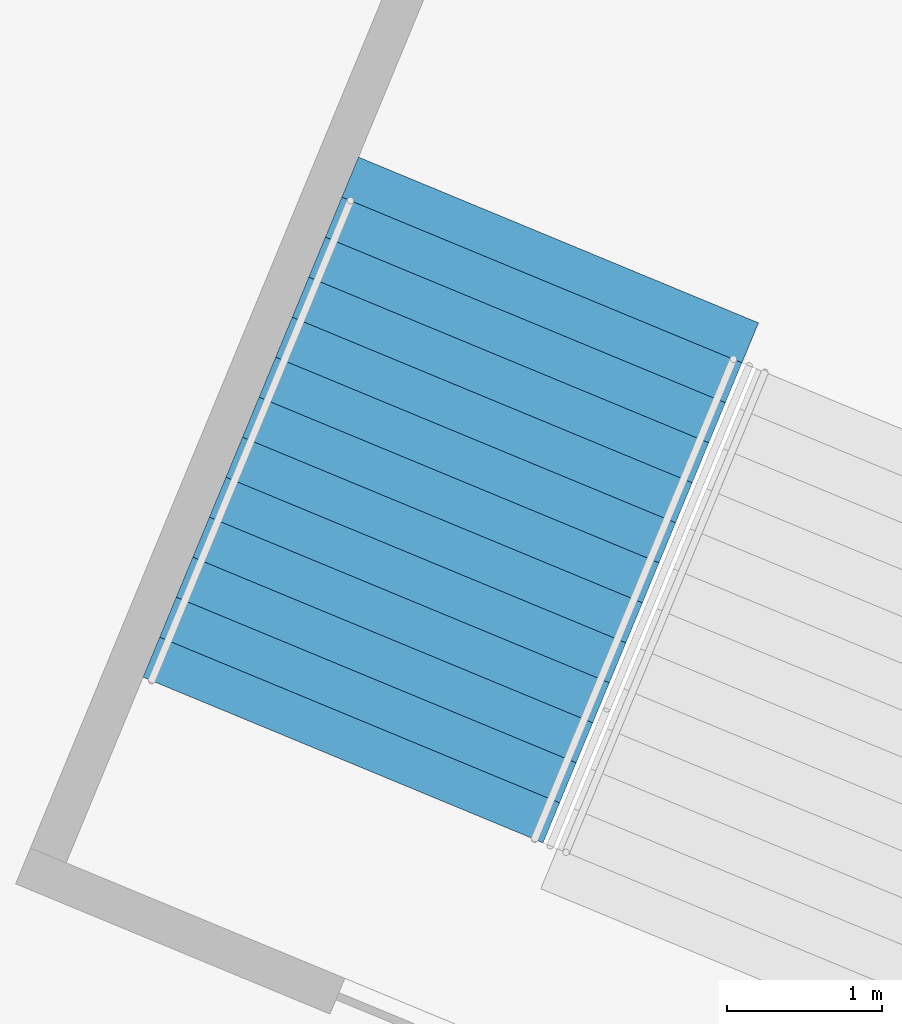
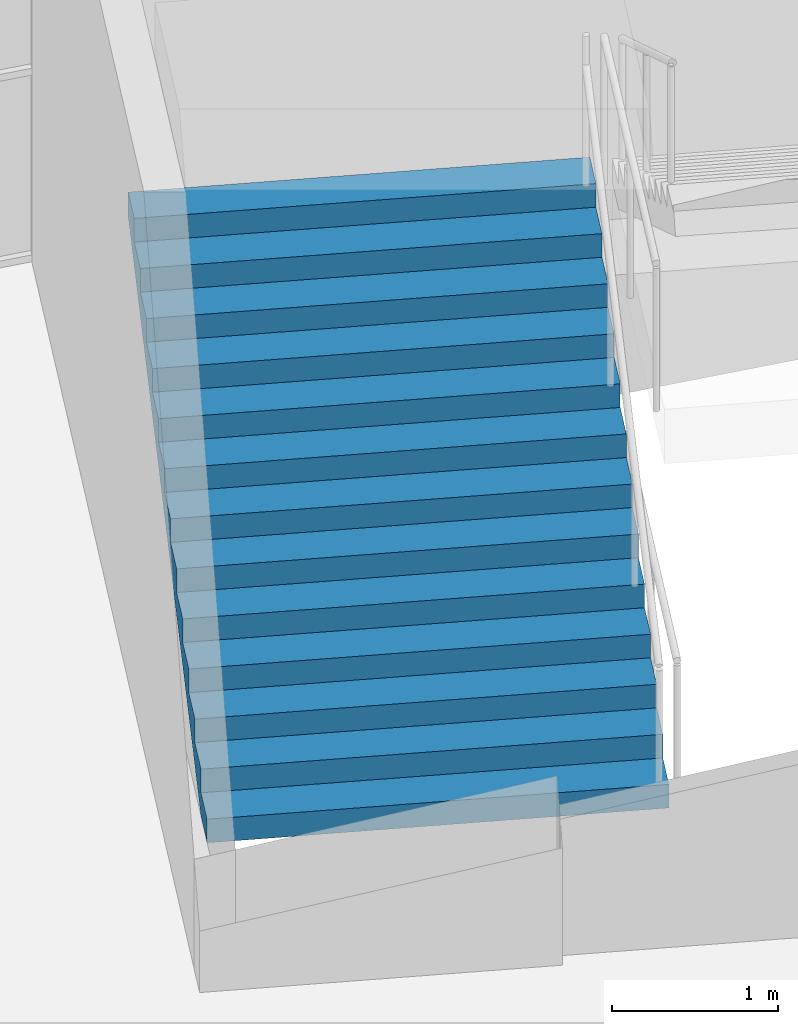
# One storey, part 182 of 199: 1 stair flight, 1 element without a shape of its own.
"""IFC4 building model written with IfcOpenShell, lengths in metres."""

from ifc_helpers import new_model, si_unit, direction, frame, origin, place, context, subcontext, project, spatial, faceted_brep, material, type_object, element, aggregate, save


model = new_model("IFC4")

# Units and contexts
model_context = context("Model", 3, precision=1e-05, world=origin(), true_north=direction((0.0, 1.0)))
body_context = subcontext(model_context, "Body", "Model", "MODEL_VIEW")
ifc_project = project(units=[si_unit("LENGTHUNIT", "METRE"), si_unit("AREAUNIT", "SQUARE_METRE"), si_unit("VOLUMEUNIT", "CUBIC_METRE"), si_unit("PLANEANGLEUNIT", "RADIAN"), si_unit("MASSUNIT", "GRAM", prefix="KILO")], contexts=[model_context])

# Site, building, storey
site_placement = place(None, origin())
site = spatial("IfcSite", under=ifc_project, at=site_placement, CompositionType="ELEMENT")
building_placement = place(site_placement, origin())
building = spatial("IfcBuilding", under=site, at=building_placement, Name="Ogive Plaza Stadium", CompositionType="ELEMENT")
storey_placement = place(building_placement, frame((0.0, 0.0, 4.5)))
storey = spatial("IfcBuildingStorey", under=building, at=storey_placement, Name="L01", CompositionType="ELEMENT", Elevation=4.5)

# Stair, stair flight
ifc_material_1 = material(Name="Concrete C40/50", Category="concrete")
stair_type = type_object("IfcStairType", Name="Exit stair", PredefinedType="STRAIGHT_RUN_STAIR", material=ifc_material_1)
stair_placement = place(storey_placement, origin())
stair = element("IfcStair", 1, at=stair_placement, inside=storey, type_object=stair_type, Name="Exit stair ST38B L01 to L02", PredefinedType="STRAIGHT_RUN_STAIR")
ifc_material_2 = material(Name="Concrete C40/50", Category="concrete")
stair_flight_type = type_object("IfcStairFlightType", Name="Exit stair flight", PredefinedType="STRAIGHT", material=ifc_material_2)
stair_flight_placement = place(storey_placement, frame((46.118408203125, 93.319580078125, 0.0), z_axis=(0.0, 0.0, 1.0), x_axis=(0.382683432365, 0.923879532511, 0.0)))
stair_flight = element("IfcStairFlight", 2, at=stair_flight_placement, type_object=stair_flight_type, Name="ST38B flight 1", NumberOfRisers=13, NumberOfTreads=12, PredefinedType="STRAIGHT", RiserHeight=0.173076923, TreadLength=0.28, context=body_context, shape_type="Brep", body=[
    faceted_brep([(0.28515625, -1.39990234375, 0.0), (3.639892578125, -1.39990234375, 2.07373046875), (3.639892578125, -1.39990234375, 2.25), (3.360107421875, -1.39990234375, 2.25), (3.360107421875, -1.39990234375, 2.076904296875), (3.080078125, -1.39990234375, 2.076904296875), (3.080078125, -1.39990234375, 1.90380859375), (2.800048828125, -1.39990234375, 1.90380859375), (2.800048828125, -1.39990234375, 1.730712890625), (2.52001953125, -1.39990234375, 1.730712890625), (2.52001953125, -1.39990234375, 1.5576171875), (2.239990234375, -1.39990234375, 1.5576171875), (2.239990234375, -1.39990234375, 1.384521484375), (1.9599609375, -1.39990234375, 1.384521484375), (1.9599609375, -1.39990234375, 1.21142578125), (1.679931640625, -1.39990234375, 1.21142578125), (1.679931640625, -1.39990234375, 1.03857421875), (1.39990234375, -1.39990234375, 1.03857421875), (1.39990234375, -1.39990234375, 0.865478515625), (1.1201171875, -1.39990234375, 0.865478515625), (1.1201171875, -1.39990234375, 0.6923828125), (0.840087890625, -1.39990234375, 0.6923828125), (0.840087890625, -1.39990234375, 0.519287109375), (0.56005859375, -1.39990234375, 0.519287109375), (0.56005859375, -1.39990234375, 0.34619140625), (0.280029296875, -1.39990234375, 0.34619140625), (0.280029296875, -1.39990234375, 0.173095703125), (0.0, -1.39990234375, 0.173095703125), (0.0, -1.39990234375, 0.0), (0.0, 1.39990234375, 0.0), (0.0, 1.39990234375, 0.173095703125), (0.280029296875, 1.39990234375, 0.173095703125), (0.280029296875, 1.39990234375, 0.34619140625), (0.56005859375, 1.39990234375, 0.34619140625), (0.56005859375, 1.39990234375, 0.519287109375), (0.840087890625, 1.39990234375, 0.519287109375), (0.840087890625, 1.39990234375, 0.6923828125), (1.1201171875, 1.39990234375, 0.6923828125), (1.1201171875, 1.39990234375, 0.865478515625), (1.39990234375, 1.39990234375, 0.865478515625), (1.39990234375, 1.39990234375, 1.03857421875), (1.679931640625, 1.39990234375, 1.03857421875), (1.679931640625, 1.39990234375, 1.21142578125), (1.9599609375, 1.39990234375, 1.21142578125), (1.9599609375, 1.39990234375, 1.384521484375), (2.239990234375, 1.39990234375, 1.384521484375), (2.239990234375, 1.39990234375, 1.5576171875), (2.52001953125, 1.39990234375, 1.5576171875), (2.52001953125, 1.39990234375, 1.730712890625), (2.800048828125, 1.39990234375, 1.730712890625), (2.800048828125, 1.39990234375, 1.90380859375), (3.080078125, 1.39990234375, 1.90380859375), (3.080078125, 1.39990234375, 2.076904296875), (3.360107421875, 1.39990234375, 2.076904296875), (3.360107421875, 1.39990234375, 2.25), (3.639892578125, 1.39990234375, 2.25), (3.639892578125, 1.39990234375, 2.07373046875), (0.28515625, 1.39990234375, 0.0), (0.28515625, -1.0888671875, 0.0), (3.639892578125, -1.0888671875, 2.07373046875), (0.28515625, -0.77783203125, 0.0), (3.639892578125, -0.77783203125, 2.07373046875), (0.28515625, -0.466796875, 0.0), (3.639892578125, -0.466796875, 2.07373046875), (0.28515625, -0.155517578125, 0.0), (3.639892578125, -0.155517578125, 2.07373046875), (0.28515625, 0.155517578125, 0.0), (3.639892578125, 0.155517578125, 2.07373046875), (0.28515625, 0.466796875, 0.0), (3.639892578125, 0.466796875, 2.07373046875), (0.28515625, 0.77783203125, 0.0), (3.639892578125, 0.77783203125, 2.07373046875), (0.28515625, 1.0888671875, 0.0), (3.639892578125, 1.0888671875, 2.07373046875), (3.639892578125, -1.0888671875, 2.25), (3.639892578125, -0.77783203125, 2.25), (3.639892578125, -0.466796875, 2.25), (3.639892578125, -0.155517578125, 2.25), (3.639892578125, 0.155517578125, 2.25), (3.639892578125, 0.466796875, 2.25), (3.639892578125, 0.77783203125, 2.25), (3.639892578125, 1.0888671875, 2.25), (3.360107421875, -1.0888671875, 2.25), (3.360107421875, -0.77783203125, 2.25), (3.360107421875, -0.466796875, 2.25), (3.360107421875, -0.155517578125, 2.25), (3.360107421875, 0.155517578125, 2.25), (3.360107421875, 0.466796875, 2.25), (3.360107421875, 0.77783203125, 2.25), (3.360107421875, 1.0888671875, 2.25), (3.360107421875, -1.0888671875, 2.076904296875), (3.360107421875, -0.77783203125, 2.076904296875), (3.360107421875, -0.466796875, 2.076904296875), (3.360107421875, -0.155517578125, 2.076904296875), (3.360107421875, 0.155517578125, 2.076904296875), (3.360107421875, 0.466796875, 2.076904296875), (3.360107421875, 0.77783203125, 2.076904296875), (3.360107421875, 1.0888671875, 2.076904296875), (3.080078125, -1.0888671875, 2.076904296875), (3.080078125, -0.77783203125, 2.076904296875), (3.080078125, -0.466796875, 2.076904296875), (3.080078125, -0.155517578125, 2.076904296875), (3.080078125, 0.155517578125, 2.076904296875), (3.080078125, 0.466796875, 2.076904296875), (3.080078125, 0.77783203125, 2.076904296875), (3.080078125, 1.0888671875, 2.076904296875), (3.080078125, -1.0888671875, 1.90380859375), (3.080078125, -0.77783203125, 1.90380859375), (3.080078125, -0.466796875, 1.90380859375), (3.080078125, -0.155517578125, 1.90380859375), (3.080078125, 0.155517578125, 1.90380859375), (3.080078125, 0.466796875, 1.90380859375), (3.080078125, 0.77783203125, 1.90380859375), (3.080078125, 1.0888671875, 1.90380859375), (2.800048828125, -1.0888671875, 1.90380859375), (2.800048828125, -0.77783203125, 1.90380859375), (2.800048828125, -0.466796875, 1.90380859375), (2.800048828125, -0.155517578125, 1.90380859375), (2.800048828125, 0.155517578125, 1.90380859375), (2.800048828125, 0.466796875, 1.90380859375), (2.800048828125, 0.77783203125, 1.90380859375), (2.800048828125, 1.0888671875, 1.90380859375), (2.800048828125, -1.0888671875, 1.730712890625), (2.800048828125, -0.77783203125, 1.730712890625), (2.800048828125, -0.466796875, 1.730712890625), (2.800048828125, -0.155517578125, 1.730712890625), (2.800048828125, 0.155517578125, 1.730712890625), (2.800048828125, 0.466796875, 1.730712890625), (2.800048828125, 0.77783203125, 1.730712890625), (2.800048828125, 1.0888671875, 1.730712890625), (2.52001953125, -1.0888671875, 1.730712890625), (2.52001953125, -0.77783203125, 1.730712890625), (2.52001953125, -0.466796875, 1.730712890625), (2.52001953125, -0.155517578125, 1.730712890625), (2.52001953125, 0.155517578125, 1.730712890625), (2.52001953125, 0.466796875, 1.730712890625), (2.52001953125, 0.77783203125, 1.730712890625), (2.52001953125, 1.0888671875, 1.730712890625), (2.52001953125, -1.0888671875, 1.5576171875), (2.52001953125, -0.77783203125, 1.5576171875), (2.52001953125, -0.466796875, 1.5576171875), (2.52001953125, -0.155517578125, 1.5576171875), (2.52001953125, 0.155517578125, 1.5576171875), (2.52001953125, 0.466796875, 1.5576171875), (2.52001953125, 0.77783203125, 1.5576171875), (2.52001953125, 1.0888671875, 1.5576171875), (2.239990234375, -1.0888671875, 1.5576171875), (2.239990234375, -0.77783203125, 1.5576171875), (2.239990234375, -0.466796875, 1.5576171875), (2.239990234375, -0.155517578125, 1.5576171875), (2.239990234375, 0.155517578125, 1.5576171875), (2.239990234375, 0.466796875, 1.5576171875), (2.239990234375, 0.77783203125, 1.5576171875), (2.239990234375, 1.0888671875, 1.5576171875), (2.239990234375, -1.0888671875, 1.384521484375), (2.239990234375, -0.77783203125, 1.384521484375), (2.239990234375, -0.466796875, 1.384521484375), (2.239990234375, -0.155517578125, 1.384521484375), (2.239990234375, 0.155517578125, 1.384521484375), (2.239990234375, 0.466796875, 1.384521484375), (2.239990234375, 0.77783203125, 1.384521484375), (2.239990234375, 1.0888671875, 1.384521484375), (1.9599609375, -1.0888671875, 1.384521484375), (1.9599609375, -0.77783203125, 1.384521484375), (1.9599609375, -0.466796875, 1.384521484375), (1.9599609375, -0.155517578125, 1.384521484375), (1.9599609375, 0.155517578125, 1.384521484375), (1.9599609375, 0.466796875, 1.384521484375), (1.9599609375, 0.77783203125, 1.384521484375), (1.9599609375, 1.0888671875, 1.384521484375), (1.9599609375, -1.0888671875, 1.21142578125), (1.9599609375, -0.77783203125, 1.21142578125), (1.9599609375, -0.466796875, 1.21142578125), (1.9599609375, -0.155517578125, 1.21142578125), (1.9599609375, 0.155517578125, 1.21142578125), (1.9599609375, 0.466796875, 1.21142578125), (1.9599609375, 0.77783203125, 1.21142578125), (1.9599609375, 1.0888671875, 1.21142578125), (1.679931640625, -1.0888671875, 1.21142578125), (1.679931640625, -0.77783203125, 1.21142578125), (1.679931640625, -0.466796875, 1.21142578125), (1.679931640625, -0.155517578125, 1.21142578125), (1.679931640625, 0.155517578125, 1.21142578125), (1.679931640625, 0.466796875, 1.21142578125), (1.679931640625, 0.77783203125, 1.21142578125), (1.679931640625, 1.0888671875, 1.21142578125), (1.679931640625, -1.0888671875, 1.03857421875), (1.679931640625, -0.77783203125, 1.03857421875), (1.679931640625, -0.466796875, 1.03857421875), (1.679931640625, -0.155517578125, 1.03857421875), (1.679931640625, 0.155517578125, 1.03857421875), (1.679931640625, 0.466796875, 1.03857421875), (1.679931640625, 0.77783203125, 1.03857421875), (1.679931640625, 1.0888671875, 1.03857421875), (1.39990234375, -1.0888671875, 1.03857421875), (1.39990234375, -0.77783203125, 1.03857421875), (1.39990234375, -0.466796875, 1.03857421875), (1.39990234375, -0.155517578125, 1.03857421875), (1.39990234375, 0.155517578125, 1.03857421875), (1.39990234375, 0.466796875, 1.03857421875), (1.39990234375, 0.77783203125, 1.03857421875), (1.39990234375, 1.0888671875, 1.03857421875), (1.39990234375, -1.0888671875, 0.865478515625), (1.39990234375, -0.77783203125, 0.865478515625), (1.39990234375, -0.466796875, 0.865478515625), (1.39990234375, -0.155517578125, 0.865478515625), (1.39990234375, 0.155517578125, 0.865478515625), (1.39990234375, 0.466796875, 0.865478515625), (1.39990234375, 0.77783203125, 0.865478515625), (1.39990234375, 1.0888671875, 0.865478515625), (1.1201171875, -1.0888671875, 0.865478515625), (1.1201171875, -0.77783203125, 0.865478515625), (1.1201171875, -0.466796875, 0.865478515625), (1.1201171875, -0.155517578125, 0.865478515625), (1.1201171875, 0.155517578125, 0.865478515625), (1.1201171875, 0.466796875, 0.865478515625), (1.1201171875, 0.77783203125, 0.865478515625), (1.1201171875, 1.0888671875, 0.865478515625), (1.1201171875, -1.0888671875, 0.6923828125), (1.1201171875, -0.77783203125, 0.6923828125), (1.1201171875, -0.466796875, 0.6923828125), (1.1201171875, -0.155517578125, 0.6923828125), (1.1201171875, 0.155517578125, 0.6923828125), (1.1201171875, 0.466796875, 0.6923828125), (1.1201171875, 0.77783203125, 0.6923828125), (1.1201171875, 1.0888671875, 0.6923828125), (0.840087890625, -1.0888671875, 0.6923828125), (0.840087890625, -0.77783203125, 0.6923828125), (0.840087890625, -0.466796875, 0.6923828125), (0.840087890625, -0.155517578125, 0.6923828125), (0.840087890625, 0.155517578125, 0.6923828125), (0.840087890625, 0.466796875, 0.6923828125), (0.840087890625, 0.77783203125, 0.6923828125), (0.840087890625, 1.0888671875, 0.6923828125), (0.840087890625, -1.0888671875, 0.519287109375), (0.840087890625, -0.77783203125, 0.519287109375), (0.840087890625, -0.466796875, 0.519287109375), (0.840087890625, -0.155517578125, 0.519287109375), (0.840087890625, 0.155517578125, 0.519287109375), (0.840087890625, 0.466796875, 0.519287109375), (0.840087890625, 0.77783203125, 0.519287109375), (0.840087890625, 1.0888671875, 0.519287109375), (0.56005859375, -1.0888671875, 0.519287109375), (0.56005859375, -0.77783203125, 0.519287109375), (0.56005859375, -0.466796875, 0.519287109375), (0.56005859375, -0.155517578125, 0.519287109375), (0.56005859375, 0.155517578125, 0.519287109375), (0.56005859375, 0.466796875, 0.519287109375), (0.56005859375, 0.77783203125, 0.519287109375), (0.56005859375, 1.0888671875, 0.519287109375), (0.56005859375, -1.0888671875, 0.34619140625), (0.56005859375, -0.77783203125, 0.34619140625), (0.56005859375, -0.466796875, 0.34619140625), (0.56005859375, -0.155517578125, 0.34619140625), (0.56005859375, 0.155517578125, 0.34619140625), (0.56005859375, 0.466796875, 0.34619140625), (0.56005859375, 0.77783203125, 0.34619140625), (0.56005859375, 1.0888671875, 0.34619140625), (0.280029296875, -1.0888671875, 0.34619140625), (0.280029296875, -0.77783203125, 0.34619140625), (0.280029296875, -0.466796875, 0.34619140625), (0.280029296875, -0.155517578125, 0.34619140625), (0.280029296875, 0.155517578125, 0.34619140625), (0.280029296875, 0.466796875, 0.34619140625), (0.280029296875, 0.77783203125, 0.34619140625), (0.280029296875, 1.0888671875, 0.34619140625), (0.280029296875, -1.0888671875, 0.173095703125), (0.280029296875, -0.77783203125, 0.173095703125), (0.280029296875, -0.466796875, 0.173095703125), (0.280029296875, -0.155517578125, 0.173095703125), (0.280029296875, 0.155517578125, 0.173095703125), (0.280029296875, 0.466796875, 0.173095703125), (0.280029296875, 0.77783203125, 0.173095703125), (0.280029296875, 1.0888671875, 0.173095703125), (0.0, -1.0888671875, 0.173095703125), (0.0, -0.77783203125, 0.173095703125), (0.0, -0.466796875, 0.173095703125), (0.0, -0.155517578125, 0.173095703125), (0.0, 0.155517578125, 0.173095703125), (0.0, 0.466796875, 0.173095703125), (0.0, 0.77783203125, 0.173095703125), (0.0, 1.0888671875, 0.173095703125), (0.0, -1.0888671875, 0.0), (0.0, -0.77783203125, 0.0), (0.0, -0.466796875, 0.0), (0.0, -0.155517578125, 0.0), (0.0, 0.155517578125, 0.0), (0.0, 0.466796875, 0.0), (0.0, 0.77783203125, 0.0), (0.0, 1.0888671875, 0.0)], [[[0, 1, 2, 3, 4, 5, 6, 7, 8, 9, 10, 11, 12, 13, 14, 15, 16, 17, 18, 19, 20, 21, 22, 23, 24, 25, 26, 27, 28]], [[29, 30, 31, 32, 33, 34, 35, 36, 37, 38, 39, 40, 41, 42, 43, 44, 45, 46, 47, 48, 49, 50, 51, 52, 53, 54, 55, 56, 57]], [[0, 58, 59, 1]], [[58, 60, 61, 59]], [[60, 62, 63, 61]], [[62, 64, 65, 63]], [[64, 66, 67, 65]], [[66, 68, 69, 67]], [[68, 70, 71, 69]], [[70, 72, 73, 71]], [[72, 57, 56, 73]], [[1, 59, 74, 2]], [[59, 61, 75, 74]], [[61, 63, 76, 75]], [[63, 65, 77, 76]], [[65, 67, 78, 77]], [[67, 69, 79, 78]], [[69, 71, 80, 79]], [[71, 73, 81, 80]], [[73, 56, 55, 81]], [[2, 74, 82, 3]], [[74, 75, 83, 82]], [[75, 76, 84, 83]], [[76, 77, 85, 84]], [[77, 78, 86, 85]], [[78, 79, 87, 86]], [[79, 80, 88, 87]], [[80, 81, 89, 88]], [[81, 55, 54, 89]], [[3, 82, 90, 4]], [[82, 83, 91, 90]], [[83, 84, 92, 91]], [[84, 85, 93, 92]], [[85, 86, 94, 93]], [[86, 87, 95, 94]], [[87, 88, 96, 95]], [[88, 89, 97, 96]], [[89, 54, 53, 97]], [[4, 90, 98, 5]], [[90, 91, 99, 98]], [[91, 92, 100, 99]], [[92, 93, 101, 100]], [[93, 94, 102, 101]], [[94, 95, 103, 102]], [[95, 96, 104, 103]], [[96, 97, 105, 104]], [[97, 53, 52, 105]], [[5, 98, 106, 6]], [[98, 99, 107, 106]], [[99, 100, 108, 107]], [[100, 101, 109, 108]], [[101, 102, 110, 109]], [[102, 103, 111, 110]], [[103, 104, 112, 111]], [[104, 105, 113, 112]], [[105, 52, 51, 113]], [[6, 106, 114, 7]], [[106, 107, 115, 114]], [[107, 108, 116, 115]], [[108, 109, 117, 116]], [[109, 110, 118, 117]], [[110, 111, 119, 118]], [[111, 112, 120, 119]], [[112, 113, 121, 120]], [[113, 51, 50, 121]], [[7, 114, 122, 8]], [[114, 115, 123, 122]], [[115, 116, 124, 123]], [[116, 117, 125, 124]], [[117, 118, 126, 125]], [[118, 119, 127, 126]], [[119, 120, 128, 127]], [[120, 121, 129, 128]], [[121, 50, 49, 129]], [[8, 122, 130, 9]], [[122, 123, 131, 130]], [[123, 124, 132, 131]], [[124, 125, 133, 132]], [[125, 126, 134, 133]], [[126, 127, 135, 134]], [[127, 128, 136, 135]], [[128, 129, 137, 136]], [[129, 49, 48, 137]], [[9, 130, 138, 10]], [[130, 131, 139, 138]], [[131, 132, 140, 139]], [[132, 133, 141, 140]], [[133, 134, 142, 141]], [[134, 135, 143, 142]], [[135, 136, 144, 143]], [[136, 137, 145, 144]], [[137, 48, 47, 145]], [[10, 138, 146, 11]], [[138, 139, 147, 146]], [[139, 140, 148, 147]], [[140, 141, 149, 148]], [[141, 142, 150, 149]], [[142, 143, 151, 150]], [[143, 144, 152, 151]], [[144, 145, 153, 152]], [[145, 47, 46, 153]], [[11, 146, 154, 12]], [[146, 147, 155, 154]], [[147, 148, 156, 155]], [[148, 149, 157, 156]], [[149, 150, 158, 157]], [[150, 151, 159, 158]], [[151, 152, 160, 159]], [[152, 153, 161, 160]], [[153, 46, 45, 161]], [[12, 154, 162, 13]], [[154, 155, 163, 162]], [[155, 156, 164, 163]], [[156, 157, 165, 164]], [[157, 158, 166, 165]], [[158, 159, 167, 166]], [[159, 160, 168, 167]], [[160, 161, 169, 168]], [[161, 45, 44, 169]], [[13, 162, 170, 14]], [[162, 163, 171, 170]], [[163, 164, 172, 171]], [[164, 165, 173, 172]], [[165, 166, 174, 173]], [[166, 167, 175, 174]], [[167, 168, 176, 175]], [[168, 169, 177, 176]], [[169, 44, 43, 177]], [[14, 170, 178, 15]], [[170, 171, 179, 178]], [[171, 172, 180, 179]], [[172, 173, 181, 180]], [[173, 174, 182, 181]], [[174, 175, 183, 182]], [[175, 176, 184, 183]], [[176, 177, 185, 184]], [[177, 43, 42, 185]], [[15, 178, 186, 16]], [[178, 179, 187, 186]], [[179, 180, 188, 187]], [[180, 181, 189, 188]], [[181, 182, 190, 189]], [[182, 183, 191, 190]], [[183, 184, 192, 191]], [[184, 185, 193, 192]], [[185, 42, 41, 193]], [[16, 186, 194, 17]], [[186, 187, 195, 194]], [[187, 188, 196, 195]], [[188, 189, 197, 196]], [[189, 190, 198, 197]], [[190, 191, 199, 198]], [[191, 192, 200, 199]], [[192, 193, 201, 200]], [[193, 41, 40, 201]], [[17, 194, 202, 18]], [[194, 195, 203, 202]], [[195, 196, 204, 203]], [[196, 197, 205, 204]], [[197, 198, 206, 205]], [[198, 199, 207, 206]], [[199, 200, 208, 207]], [[200, 201, 209, 208]], [[201, 40, 39, 209]], [[18, 202, 210, 19]], [[202, 203, 211, 210]], [[203, 204, 212, 211]], [[204, 205, 213, 212]], [[205, 206, 214, 213]], [[206, 207, 215, 214]], [[207, 208, 216, 215]], [[208, 209, 217, 216]], [[209, 39, 38, 217]], [[19, 210, 218, 20]], [[210, 211, 219, 218]], [[211, 212, 220, 219]], [[212, 213, 221, 220]], [[213, 214, 222, 221]], [[214, 215, 223, 222]], [[215, 216, 224, 223]], [[216, 217, 225, 224]], [[217, 38, 37, 225]], [[20, 218, 226, 21]], [[218, 219, 227, 226]], [[219, 220, 228, 227]], [[220, 221, 229, 228]], [[221, 222, 230, 229]], [[222, 223, 231, 230]], [[223, 224, 232, 231]], [[224, 225, 233, 232]], [[225, 37, 36, 233]], [[21, 226, 234, 22]], [[226, 227, 235, 234]], [[227, 228, 236, 235]], [[228, 229, 237, 236]], [[229, 230, 238, 237]], [[230, 231, 239, 238]], [[231, 232, 240, 239]], [[232, 233, 241, 240]], [[233, 36, 35, 241]], [[22, 234, 242, 23]], [[234, 235, 243, 242]], [[235, 236, 244, 243]], [[236, 237, 245, 244]], [[237, 238, 246, 245]], [[238, 239, 247, 246]], [[239, 240, 248, 247]], [[240, 241, 249, 248]], [[241, 35, 34, 249]], [[23, 242, 250, 24]], [[242, 243, 251, 250]], [[243, 244, 252, 251]], [[244, 245, 253, 252]], [[245, 246, 254, 253]], [[246, 247, 255, 254]], [[247, 248, 256, 255]], [[248, 249, 257, 256]], [[249, 34, 33, 257]], [[24, 250, 258, 25]], [[250, 251, 259, 258]], [[251, 252, 260, 259]], [[252, 253, 261, 260]], [[253, 254, 262, 261]], [[254, 255, 263, 262]], [[255, 256, 264, 263]], [[256, 257, 265, 264]], [[257, 33, 32, 265]], [[25, 258, 266, 26]], [[258, 259, 267, 266]], [[259, 260, 268, 267]], [[260, 261, 269, 268]], [[261, 262, 270, 269]], [[262, 263, 271, 270]], [[263, 264, 272, 271]], [[264, 265, 273, 272]], [[265, 32, 31, 273]], [[26, 266, 274, 27]], [[266, 267, 275, 274]], [[267, 268, 276, 275]], [[268, 269, 277, 276]], [[269, 270, 278, 277]], [[270, 271, 279, 278]], [[271, 272, 280, 279]], [[272, 273, 281, 280]], [[273, 31, 30, 281]], [[27, 274, 282, 28]], [[274, 275, 283, 282]], [[275, 276, 284, 283]], [[276, 277, 285, 284]], [[277, 278, 286, 285]], [[278, 279, 287, 286]], [[279, 280, 288, 287]], [[280, 281, 289, 288]], [[281, 30, 29, 289]], [[28, 282, 58, 0]], [[282, 283, 60, 58]], [[283, 284, 62, 60]], [[284, 285, 64, 62]], [[285, 286, 66, 64]], [[286, 287, 68, 66]], [[287, 288, 70, 68]], [[288, 289, 72, 70]], [[289, 29, 57, 72]]]),
])
aggregate(stair, [stair_flight])

save(model, "model.ifc")
